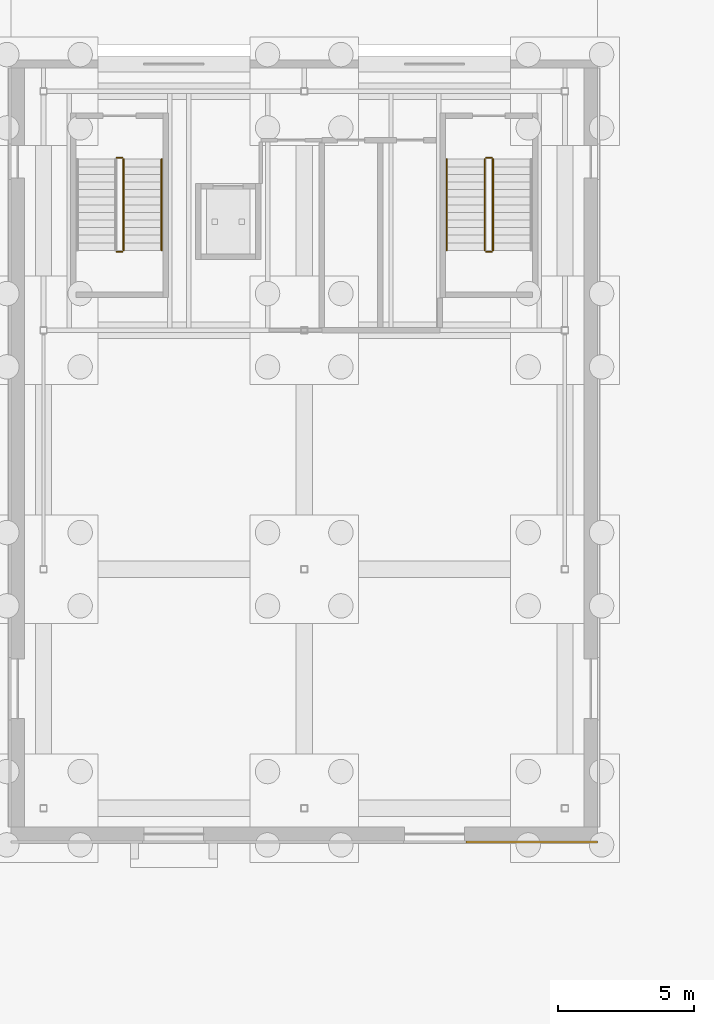
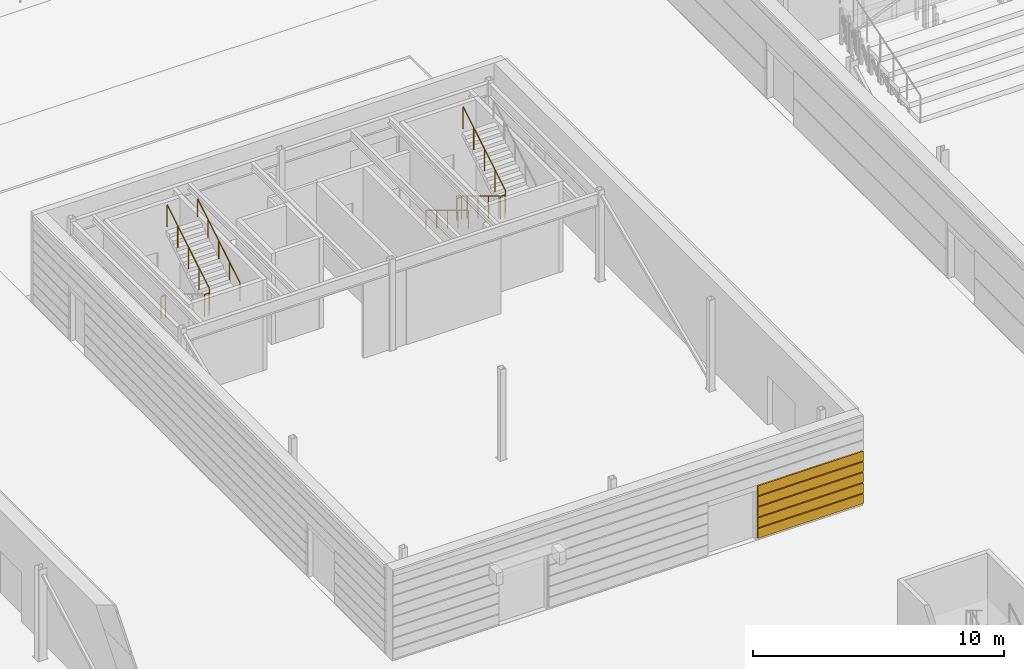
# One storey, part 127 of 139: 9 railings, 5 coverings.
"""IFC4 building model written with IfcOpenShell, lengths in metres."""

from ifc_helpers import new_model, si_unit, direction, frame, origin, origin_2d, place, context, subcontext, project, spatial, rectangle, circle, extrude, material, layer, layer_set, type_object, element, save


model = new_model("IFC4")

# Units and contexts
model_context = context("Model", 3, precision=1e-05, world=origin(), true_north=direction((0.0, 1.0)))
body_context = subcontext(model_context, "Body", "Model", "MODEL_VIEW")
ifc_project = project(units=[si_unit("LENGTHUNIT", "METRE"), si_unit("AREAUNIT", "SQUARE_METRE"), si_unit("VOLUMEUNIT", "CUBIC_METRE"), si_unit("PLANEANGLEUNIT", "RADIAN"), si_unit("MASSUNIT", "GRAM", prefix="KILO")], contexts=[model_context])

# Site, building, storey
site_placement = place(None, origin())
site = spatial("IfcSite", under=ifc_project, at=site_placement, CompositionType="ELEMENT")
building_placement = place(site_placement, origin())
building = spatial("IfcBuilding", under=site, at=building_placement, Name="Verrick Yard Athletic Hall", CompositionType="ELEMENT")
storey_placement = place(building_placement, origin())
storey = spatial("IfcBuildingStorey", under=building, at=storey_placement, Name="L00", CompositionType="ELEMENT", Elevation=0.0)

# Railings
ifc_material_1 = material(Name="Stainless steel", Category="steel")
railing_type_1 = type_object("IfcRailingType", Name="Stair and core guard 1100", PredefinedType="GUARDRAIL", material=ifc_material_1)
railing_1_placement = place(storey_placement, frame((105.449951171875, 97.10009765625, 0.169189453125)))
element("IfcRailing", 1, at=railing_1_placement, inside=storey, type_object=railing_type_1, Name="L00 Climbing hall east stair guard 1", PredefinedType="GUARDRAIL", context=body_context, shape_type="SweptSolid", body=[
    extrude(circle(Radius=0.02392578125, at=origin_2d()), frame((0.0, 0.0, 1.076171875), z_axis=(0.0, -0.855836976705, 0.517245656632), x_axis=(1.0, 0.0, 0.0)), (0.0, 0.0, 1.0), 3.926025390625),
    extrude(circle(Radius=0.02099609375, at=origin_2d()), origin(), (0.0, 0.0, 1.0), 1.052001953125),
    extrude(circle(Radius=0.02099609375, at=origin_2d()), frame((0.0, -0.840087890625, 0.5078125)), (0.0, 0.0, 1.0), 1.052001953125),
    extrude(circle(Radius=0.02099609375, at=origin_2d()), frame((0.0, -1.68017578125, 1.015380859375)), (0.0, 0.0, 1.0), 1.052001953125),
    extrude(circle(Radius=0.02099609375, at=origin_2d()), frame((0.0, -2.52001953125, 1.52294921875)), (0.0, 0.0, 1.0), 1.052001953125),
    extrude(circle(Radius=0.02099609375, at=origin_2d()), frame((0.0, -3.360107421875, 2.03076171875)), (0.0, 0.0, 1.0), 1.052001953125),
])
railing_2_placement = place(storey_placement, frame((105.5, 93.68994140625, 2.199951171875)))
element("IfcRailing", 2, at=railing_2_placement, inside=storey, type_object=railing_type_1, Name="L00 Climbing hall east stair guard 2", PredefinedType="GUARDRAIL", context=body_context, shape_type="SweptSolid", body=[
    extrude(circle(Radius=0.02392578125, at=origin_2d()), frame((0.0, 0.0, 1.076171875), z_axis=(1.0, 0.0, 0.0), x_axis=(0.0, 1.0, 0.0)), (0.0, 0.0, 1.0), 0.199951171875),
    extrude(circle(Radius=0.02099609375, at=origin_2d()), origin(), (0.0, 0.0, 1.0), 1.052001953125),
    extrude(circle(Radius=0.02099609375, at=origin_2d()), frame((0.199951171875, 0.0, 0.0)), (0.0, 0.0, 1.0), 1.052001953125),
])
railing_3_placement = place(storey_placement, frame((105.75, 93.739990234375, 2.369140625)))
element("IfcRailing", 3, at=railing_3_placement, inside=storey, type_object=railing_type_1, Name="L00 Climbing hall east stair guard 3", PredefinedType="GUARDRAIL", context=body_context, shape_type="SweptSolid", body=[
    extrude(circle(Radius=0.02392578125, at=origin_2d()), frame((0.0, 0.0, 1.076171875), z_axis=(0.0, 0.855836976705, 0.517245656632), x_axis=(-1.0, 0.0, 0.0)), (0.0, 0.0, 1.0), 3.926025390625),
    extrude(circle(Radius=0.02099609375, at=origin_2d()), origin(), (0.0, 0.0, 1.0), 1.052001953125),
    extrude(circle(Radius=0.02099609375, at=origin_2d()), frame((0.0, 0.840087890625, 0.5078125)), (0.0, 0.0, 1.0), 1.052001953125),
    extrude(circle(Radius=0.02099609375, at=origin_2d()), frame((0.0, 1.68017578125, 1.015380859375)), (0.0, 0.0, 1.0), 1.052001953125),
    extrude(circle(Radius=0.02099609375, at=origin_2d()), frame((0.0, 2.52001953125, 1.52294921875)), (0.0, 0.0, 1.0), 1.052001953125),
    extrude(circle(Radius=0.02099609375, at=origin_2d()), frame((0.0, 3.360107421875, 2.03076171875)), (0.0, 0.0, 1.0), 1.052001953125),
])
railing_4_placement = place(storey_placement, frame((105.5, 97.14990234375, 0.0)))
element("IfcRailing", 4, at=railing_4_placement, inside=storey, type_object=railing_type_1, Name="L00 Climbing hall east stair guard 4", PredefinedType="GUARDRAIL", context=body_context, shape_type="SweptSolid", body=[
    extrude(circle(Radius=0.02392578125, at=origin_2d()), frame((0.0, 0.0, 1.076171875), z_axis=(1.0, 0.0, 0.0), x_axis=(0.0, 1.0, 0.0)), (0.0, 0.0, 1.0), 0.199951171875),
    extrude(circle(Radius=0.02099609375, at=origin_2d()), origin(), (0.0, 0.0, 1.0), 1.052001953125),
    extrude(circle(Radius=0.02099609375, at=origin_2d()), frame((0.199951171875, 0.0, 0.0)), (0.0, 0.0, 1.0), 1.052001953125),
])
railing_5_placement = place(storey_placement, frame((91.89990234375, 93.68994140625, 2.199951171875)))
element("IfcRailing", 5, at=railing_5_placement, inside=storey, type_object=railing_type_1, Name="L00 Climbing hall west stair guard 2", PredefinedType="GUARDRAIL", context=body_context, shape_type="SweptSolid", body=[
    extrude(circle(Radius=0.02392578125, at=origin_2d()), frame((0.0, 0.0, 1.076171875), z_axis=(1.0, 0.0, 0.0), x_axis=(0.0, 1.0, 0.0)), (0.0, 0.0, 1.0), 0.2001953125),
    extrude(circle(Radius=0.02099609375, at=origin_2d()), origin(), (0.0, 0.0, 1.0), 1.052001953125),
    extrude(circle(Radius=0.02099609375, at=origin_2d()), frame((0.2001953125, 0.0, 0.0)), (0.0, 0.0, 1.0), 1.052001953125),
])
railing_6_placement = place(storey_placement, frame((92.14990234375, 93.739990234375, 2.369140625)))
element("IfcRailing", 6, at=railing_6_placement, inside=storey, type_object=railing_type_1, Name="L00 Climbing hall west stair guard 3", PredefinedType="GUARDRAIL", context=body_context, shape_type="SweptSolid", body=[
    extrude(circle(Radius=0.02392578125, at=origin_2d()), frame((0.0, 0.0, 1.076171875), z_axis=(0.0, 0.855836976705, 0.517245656632), x_axis=(-1.0, 0.0, 0.0)), (0.0, 0.0, 1.0), 3.926025390625),
    extrude(circle(Radius=0.02099609375, at=origin_2d()), origin(), (0.0, 0.0, 1.0), 1.052001953125),
    extrude(circle(Radius=0.02099609375, at=origin_2d()), frame((0.0, 0.840087890625, 0.5078125)), (0.0, 0.0, 1.0), 1.052001953125),
    extrude(circle(Radius=0.02099609375, at=origin_2d()), frame((0.0, 1.68017578125, 1.015380859375)), (0.0, 0.0, 1.0), 1.052001953125),
    extrude(circle(Radius=0.02099609375, at=origin_2d()), frame((0.0, 2.52001953125, 1.52294921875)), (0.0, 0.0, 1.0), 1.052001953125),
    extrude(circle(Radius=0.02099609375, at=origin_2d()), frame((0.0, 3.360107421875, 2.03076171875)), (0.0, 0.0, 1.0), 1.052001953125),
])
railing_7_placement = place(storey_placement, frame((91.89990234375, 97.14990234375, 0.0)))
element("IfcRailing", 7, at=railing_7_placement, inside=storey, type_object=railing_type_1, Name="L00 Climbing hall west stair guard 4", PredefinedType="GUARDRAIL", context=body_context, shape_type="SweptSolid", body=[
    extrude(circle(Radius=0.02392578125, at=origin_2d()), frame((0.0, 0.0, 1.076171875), z_axis=(1.0, 0.0, 0.0), x_axis=(0.0, 1.0, 0.0)), (0.0, 0.0, 1.0), 0.2001953125),
    extrude(circle(Radius=0.02099609375, at=origin_2d()), origin(), (0.0, 0.0, 1.0), 1.052001953125),
    extrude(circle(Radius=0.02099609375, at=origin_2d()), frame((0.2001953125, 0.0, 0.0)), (0.0, 0.0, 1.0), 1.052001953125),
])
railing_type_2 = type_object("IfcRailingType", Name="Stair handrail 900", PredefinedType="HANDRAIL", material=ifc_material_1)
railing_8_placement = place(storey_placement, frame((104.050048828125, 97.10009765625, 0.169189453125)))
element("IfcRailing", 8, at=railing_8_placement, inside=storey, type_object=railing_type_2, Name="L00 Climbing hall east stair handrail 1", PredefinedType="HANDRAIL", context=body_context, shape_type="SweptSolid", body=[
    extrude(circle(Radius=0.02392578125, at=origin_2d()), frame((0.0, 0.0, 0.8759765625), z_axis=(0.0, -0.855836976705, 0.517245656632), x_axis=(1.0, 0.0, 0.0)), (0.0, 0.0, 1.0), 3.926025390625),
    extrude(circle(Radius=0.02099609375, at=origin_2d()), origin(), (0.0, 0.0, 1.0), 0.851806640625),
    extrude(circle(Radius=0.02099609375, at=origin_2d()), frame((0.0, -0.840087890625, 0.5078125)), (0.0, 0.0, 1.0), 0.851806640625),
    extrude(circle(Radius=0.02099609375, at=origin_2d()), frame((0.0, -1.68017578125, 1.015380859375)), (0.0, 0.0, 1.0), 0.851806640625),
    extrude(circle(Radius=0.02099609375, at=origin_2d()), frame((0.0, -2.52001953125, 1.52294921875)), (0.0, 0.0, 1.0), 0.851806640625),
    extrude(circle(Radius=0.02099609375, at=origin_2d()), frame((0.0, -3.360107421875, 2.03076171875)), (0.0, 0.0, 1.0), 0.851806640625),
])
railing_9_placement = place(storey_placement, frame((93.550048828125, 93.739990234375, 2.369140625)))
element("IfcRailing", 9, at=railing_9_placement, inside=storey, type_object=railing_type_2, Name="L00 Climbing hall west stair handrail 2", PredefinedType="HANDRAIL", context=body_context, shape_type="SweptSolid", body=[
    extrude(circle(Radius=0.02392578125, at=origin_2d()), frame((0.0, 0.0, 0.8759765625), z_axis=(0.0, 0.855836976705, 0.517245656632), x_axis=(-1.0, 0.0, 0.0)), (0.0, 0.0, 1.0), 3.926025390625),
    extrude(circle(Radius=0.02099609375, at=origin_2d()), origin(), (0.0, 0.0, 1.0), 0.851806640625),
    extrude(circle(Radius=0.02099609375, at=origin_2d()), frame((0.0, 0.840087890625, 0.5078125)), (0.0, 0.0, 1.0), 0.851806640625),
    extrude(circle(Radius=0.02099609375, at=origin_2d()), frame((0.0, 1.68017578125, 1.015380859375)), (0.0, 0.0, 1.0), 0.851806640625),
    extrude(circle(Radius=0.02099609375, at=origin_2d()), frame((0.0, 2.52001953125, 1.52294921875)), (0.0, 0.0, 1.0), 0.851806640625),
    extrude(circle(Radius=0.02099609375, at=origin_2d()), frame((0.0, 3.360107421875, 2.03076171875)), (0.0, 0.0, 1.0), 0.851806640625),
])

# Coverings
ifc_material_2 = material(Name="Tyndall-stone-look precast cladding", Category="masonry")
ifc_layer = layer(ifc_material_2, 0.125)
ifc_layer_set = layer_set([ifc_layer], Name="Stone cladding")
covering_type = type_object("IfcCoveringType", Name="Stone cladding", PredefinedType="CLADDING", material=ifc_layer_set)
for number, where, z_axis, x_axis, name in (
    (10, (107.175048828125, 71.96240234375, 0.125), (0.0, 0.0, 1.0), (1.0, 0.0, 0.0), "Climbing hall rustication"),
    (11, (107.175048828125, 71.96240234375, 0.643798828125), (0.0, 0.0, 1.0), (1.0, 0.0, 0.0), "Climbing hall rustication"),
    (12, (107.175048828125, 71.96240234375, 1.16259765625), (0.0, 0.0, 1.0), (1.0, 0.0, 0.0), "Climbing hall rustication"),
    (13, (107.175048828125, 71.96240234375, 1.68115234375), (0.0, 0.0, 1.0), (1.0, 0.0, 0.0), "Climbing hall rustication"),
    (14, (107.175048828125, 71.96240234375, 2.199951171875), (0.0, 0.0, 1.0), (1.0, 0.0, 0.0), "Climbing hall rustication"),
):
    element("IfcCovering", number, at=place(storey_placement, frame(where, z_axis=z_axis, x_axis=x_axis)), inside=storey, type_object=covering_type, Name=name, PredefinedType="CLADDING", context=body_context, shape_type="SweptSolid", body=[
        extrude(rectangle(XDim=4.85009765625, YDim=0.074951171875, at=origin_2d()), origin(), (0.0, 0.0, 1.0), 0.46875),
    ])

save(model, "model.ifc")
